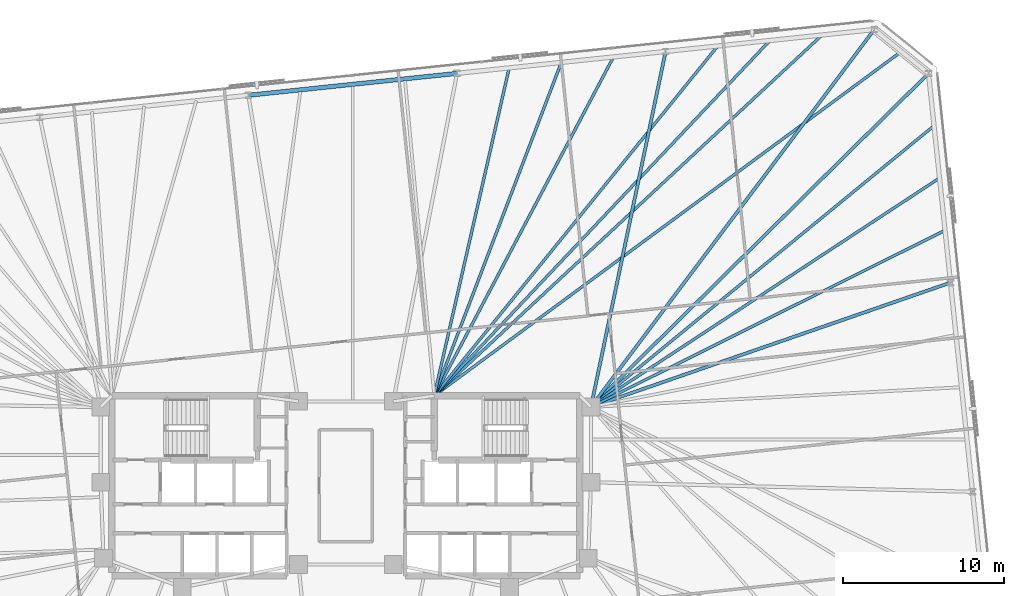
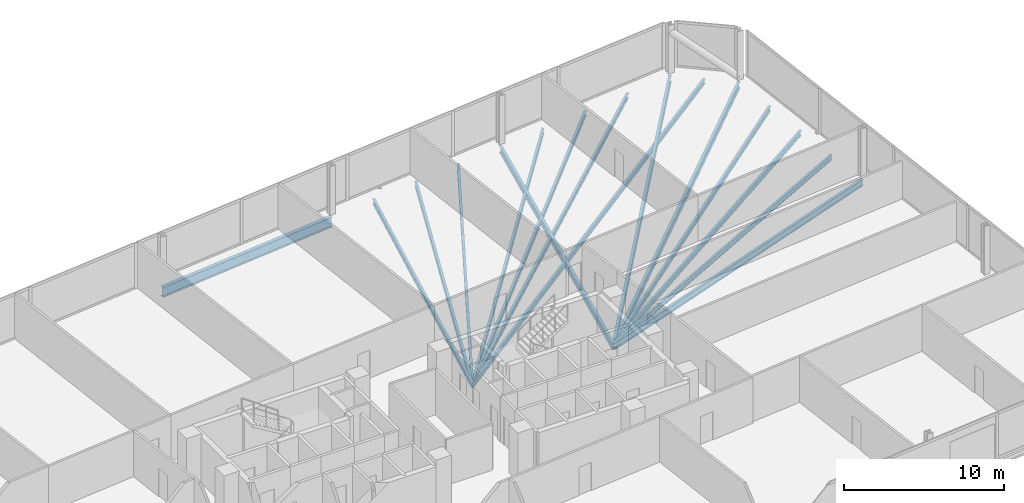
# One storey, part 10 of 18: 15 beams.
"""IFC4 building model written with IfcOpenShell, lengths in metres."""

from ifc_helpers import new_model, si_unit, direction, frame, origin, origin_2d, place, context, subcontext, project, spatial, i_section, extrude, material, material_profile, profile_set, type_object, element, save


model = new_model("IFC4")

# Units and contexts
model_context = context("Model", 3, precision=1e-05, world=origin(), true_north=direction((0.0, 1.0)))
body_context = subcontext(model_context, "Body", "Model", "MODEL_VIEW")
ifc_project = project(units=[si_unit("LENGTHUNIT", "METRE"), si_unit("AREAUNIT", "SQUARE_METRE"), si_unit("VOLUMEUNIT", "CUBIC_METRE"), si_unit("PLANEANGLEUNIT", "RADIAN"), si_unit("MASSUNIT", "GRAM", prefix="KILO")], contexts=[model_context])

# Site, building, storey
site_placement = place(None, origin())
site = spatial("IfcSite", under=ifc_project, at=site_placement, CompositionType="ELEMENT")
building_placement = place(site_placement, origin())
building = spatial("IfcBuilding", under=site, at=building_placement, Name="Menara Jurai Vektor", CompositionType="ELEMENT")
storey_placement = place(building_placement, frame((0.0, 0.0, 98.5)))
storey = spatial("IfcBuildingStorey", under=building, at=storey_placement, Name="L24", CompositionType="ELEMENT", Elevation=98.5)

# Beams
ifc_material_1 = material(Name="Steel S355", Category="steel")
ifc_material_profile_1 = material_profile(ifc_material_1, i_section(OverallWidth=0.199951171875, OverallDepth=0.5, WebThickness=0.011962890625, FlangeThickness=0.02001953125, at=origin_2d()), Name="PG 500x200x96")
ifc_profile_set_1 = profile_set([ifc_material_profile_1], Name="Steel S355")
beam_type_1 = type_object("IfcBeamType", Name="STR-BM-500", PredefinedType="BEAM", material=ifc_profile_set_1)
beam_1_placement = place(storey_placement, frame((37.62060546875, 12.638427734375, -0.47509765625), z_axis=(-0.945053249867, -0.326916434148, 0.0), x_axis=(0.326916434148, -0.945053249867, 0.0)))
element("IfcBeam", 1, at=beam_1_placement, inside=storey, type_object=beam_type_1, Name="Radial Floor Girder L24-E3", PredefinedType="BEAM", context=body_context, shape_type="SweptSolid", body=[
    extrude(i_section(OverallWidth=0.199951171875, OverallDepth=0.5, WebThickness=0.011962890625, FlangeThickness=0.02001953125, at=origin_2d()), origin(), (0.0, 0.0, 1.0), 23.671142578125),
])
beam_2_placement = place(storey_placement, frame((36.252685546875, 25.652099609375, -0.47509765625), z_axis=(-0.711335927547, -0.702852188004, 0.0), x_axis=(0.702852188004, -0.711335927547, 0.0)))
element("IfcBeam", 2, at=beam_2_placement, inside=storey, type_object=beam_type_1, Name="Radial Floor Girder L24-E4", PredefinedType="BEAM", context=body_context, shape_type="SweptSolid", body=[
    extrude(i_section(OverallWidth=0.199951171875, OverallDepth=0.5, WebThickness=0.011962890625, FlangeThickness=0.02001953125, at=origin_2d()), origin(), (0.0, 0.0, 1.0), 29.525634765625),
])
beam_3_placement = place(storey_placement, frame((32.876220703125, 28.38623046875, -0.47509765625), z_axis=(-0.600250057552, -0.799812395758, 0.0), x_axis=(0.799812395758, -0.600250057552, 0.0)))
element("IfcBeam", 3, at=beam_3_placement, inside=storey, type_object=beam_type_1, Name="Radial Floor Girder L24-N1", PredefinedType="BEAM", context=body_context, shape_type="SweptSolid", body=[
    extrude(i_section(OverallWidth=0.199951171875, OverallDepth=0.5, WebThickness=0.011962890625, FlangeThickness=0.02001953125, at=origin_2d()), origin(), (0.0, 0.0, 1.0), 29.36474609375),
])
beam_4_placement = place(storey_placement, frame((19.896728515625, 27.02197265625, -0.47509765625), z_axis=(-0.205563576063, -0.978643763683, 0.0), x_axis=(0.978643763683, -0.205563576063, 0.0)))
element("IfcBeam", 4, at=beam_4_placement, inside=storey, type_object=beam_type_1, Name="Radial Floor Girder L24-N2", PredefinedType="BEAM", context=body_context, shape_type="SweptSolid", body=[
    extrude(i_section(OverallWidth=0.199951171875, OverallDepth=0.5, WebThickness=0.011962890625, FlangeThickness=0.02001953125, at=origin_2d()), origin(), (0.0, 0.0, 1.0), 22.604736328125),
])
ifc_material_profile_2 = material_profile(ifc_material_1, i_section(OverallWidth=0.175048828125, OverallDepth=0.3798828125, WebThickness=0.010009765625, FlangeThickness=0.014892578125, at=origin_2d()), Name="PG 380x175x58")
ifc_profile_set_2 = profile_set([ifc_material_profile_2], Name="Steel S355")
beam_type_2 = type_object("IfcBeamType", Name="STR-JS-380", PredefinedType="JOIST", material=ifc_profile_set_2)
beam_5_placement = place(storey_placement, frame((37.278564453125, 15.891845703125, -0.4150390625), z_axis=(-0.894789854106, -0.446487532849, 0.0), x_axis=(0.446487532849, -0.894789854106, 0.0)))
element("IfcBeam", 5, at=beam_5_placement, inside=storey, type_object=beam_type_2, Name="Radial Secondary Floor Joist L24-JS16", PredefinedType="JOIST", context=body_context, shape_type="SweptSolid", body=[
    extrude(i_section(OverallWidth=0.175048828125, OverallDepth=0.3798828125, WebThickness=0.010009765625, FlangeThickness=0.014892578125, at=origin_2d()), origin(), (0.0, 0.0, 1.0), 24.61865234375),
])
beam_6_placement = place(storey_placement, frame((36.936767578125, 19.145263671875, -0.4150390625), z_axis=(-0.835810585743, -0.549017909326, 0.0), x_axis=(0.549017909326, -0.835810585743, 0.0)))
element("IfcBeam", 6, at=beam_6_placement, inside=storey, type_object=beam_type_2, Name="Radial Secondary Floor Joist L24-JS17", PredefinedType="JOIST", context=body_context, shape_type="SweptSolid", body=[
    extrude(i_section(OverallWidth=0.175048828125, OverallDepth=0.3798828125, WebThickness=0.010009765625, FlangeThickness=0.014892578125, at=origin_2d()), origin(), (0.0, 0.0, 1.0), 25.947021484375),
])
beam_7_placement = place(storey_placement, frame((36.5947265625, 22.398681640625, -0.4150390625), z_axis=(-0.773337004811, -0.63399517111, 0.0), x_axis=(0.63399517111, -0.773337004811, 0.0)))
element("IfcBeam", 7, at=beam_7_placement, inside=storey, type_object=beam_type_2, Name="Radial Secondary Floor Joist L24-JS18", PredefinedType="JOIST", context=body_context, shape_type="SweptSolid", body=[
    extrude(i_section(OverallWidth=0.175048828125, OverallDepth=0.3798828125, WebThickness=0.010009765625, FlangeThickness=0.014892578125, at=origin_2d()), origin(), (0.0, 0.0, 1.0), 27.600830078125),
])
beam_8_placement = place(storey_placement, frame((34.564453125, 27.01904296875, -0.4150390625), z_axis=(-0.805015724179, -0.593253473504, 0.0), x_axis=(0.593253473504, -0.805015724179, 0.0)))
element("IfcBeam", 8, at=beam_8_placement, inside=storey, type_object=beam_type_2, Name="Radial Secondary Floor Joist L24-JS19", PredefinedType="JOIST", context=body_context, shape_type="SweptSolid", body=[
    extrude(i_section(OverallWidth=0.175048828125, OverallDepth=0.3798828125, WebThickness=0.010009765625, FlangeThickness=0.014892578125, at=origin_2d()), origin(), (0.0, 0.0, 1.0), 36.104248046875),
])
beam_9_placement = place(storey_placement, frame((29.63134765625, 28.045166015625, -0.4150390625), z_axis=(-0.732227546694, -0.681060070671, 0.0), x_axis=(0.681060070671, -0.732227546694, 0.0)))
element("IfcBeam", 9, at=beam_9_placement, inside=storey, type_object=beam_type_2, Name="Radial Secondary Floor Joist L24-JS20", PredefinedType="JOIST", context=body_context, shape_type="SweptSolid", body=[
    extrude(i_section(OverallWidth=0.175048828125, OverallDepth=0.3798828125, WebThickness=0.010009765625, FlangeThickness=0.014892578125, at=origin_2d()), origin(), (0.0, 0.0, 1.0), 32.9560546875),
])
beam_10_placement = place(storey_placement, frame((26.386474609375, 27.7041015625, -0.4150390625), z_axis=(-0.686805497462, -0.726841254096, 0.0), x_axis=(0.726841254096, -0.686805497462, 0.0)))
element("IfcBeam", 10, at=beam_10_placement, inside=storey, type_object=beam_type_2, Name="Radial Secondary Floor Joist L24-JS21", PredefinedType="JOIST", context=body_context, shape_type="SweptSolid", body=[
    extrude(i_section(OverallWidth=0.175048828125, OverallDepth=0.3798828125, WebThickness=0.010009765625, FlangeThickness=0.014892578125, at=origin_2d()), origin(), (0.0, 0.0, 1.0), 30.4111328125),
])
beam_11_placement = place(storey_placement, frame((23.1416015625, 27.363037109375, -0.4150390625), z_axis=(-0.629715269624, -0.776826028917, 0.0), x_axis=(0.776826028917, -0.629715269624, 0.0)))
element("IfcBeam", 11, at=beam_11_placement, inside=storey, type_object=beam_type_2, Name="Radial Secondary Floor Joist L24-JS22", PredefinedType="JOIST", context=body_context, shape_type="SweptSolid", body=[
    extrude(i_section(OverallWidth=0.175048828125, OverallDepth=0.3798828125, WebThickness=0.010009765625, FlangeThickness=0.014892578125, at=origin_2d()), origin(), (0.0, 0.0, 1.0), 28.01513671875),
])
beam_12_placement = place(storey_placement, frame((16.651611328125, 26.680908203125, -0.4150390625), z_axis=(-0.467598899237, -0.883940761268, 0.0), x_axis=(0.883940761268, -0.467598899237, 0.0)))
element("IfcBeam", 12, at=beam_12_placement, inside=storey, type_object=beam_type_2, Name="Radial Secondary Floor Joist L24-JS23", PredefinedType="JOIST", context=body_context, shape_type="SweptSolid", body=[
    extrude(i_section(OverallWidth=0.175048828125, OverallDepth=0.3798828125, WebThickness=0.010009765625, FlangeThickness=0.014892578125, at=origin_2d()), origin(), (0.0, 0.0, 1.0), 23.8486328125),
])
beam_13_placement = place(storey_placement, frame((13.40673828125, 26.33984375, -0.4150390625), z_axis=(-0.3562267616, -0.934399536772, 0.0), x_axis=(0.934399536772, -0.3562267616, 0.0)))
element("IfcBeam", 13, at=beam_13_placement, inside=storey, type_object=beam_type_2, Name="Radial Secondary Floor Joist L24-JS24", PredefinedType="JOIST", context=body_context, shape_type="SweptSolid", body=[
    extrude(i_section(OverallWidth=0.175048828125, OverallDepth=0.3798828125, WebThickness=0.010009765625, FlangeThickness=0.014892578125, at=origin_2d()), origin(), (0.0, 0.0, 1.0), 22.19580078125),
])
beam_14_placement = place(storey_placement, frame((10.161865234375, 25.998779296875, -0.4150390625), z_axis=(-0.222793437271, -0.974865675008, 0.0), x_axis=(0.974865675008, -0.222793437271, 0.0)))
element("IfcBeam", 14, at=beam_14_placement, inside=storey, type_object=beam_type_2, Name="Radial Secondary Floor Joist L24-JS25", PredefinedType="JOIST", context=body_context, shape_type="SweptSolid", body=[
    extrude(i_section(OverallWidth=0.175048828125, OverallDepth=0.3798828125, WebThickness=0.010009765625, FlangeThickness=0.014892578125, at=origin_2d()), origin(), (0.0, 0.0, 1.0), 20.924560546875),
])
ifc_material_2 = material(Name="Steel S460", Category="steel")
ifc_material_profile_3 = material_profile(ifc_material_2, i_section(OverallWidth=0.26806640625, OverallDepth=0.77001953125, WebThickness=0.01611328125, FlangeThickness=0.02490234375, FilletRadius=0.01708984375, at=origin_2d()), Name="UKB 762x267x197")
ifc_profile_set_3 = profile_set([ifc_material_profile_3], Name="Steel S460")
beam_type_3 = type_object("IfcBeamType", Name="STR-SP-762", PredefinedType="SPANDREL", material=ifc_profile_set_3)
beam_15_placement = place(storey_placement, frame((6.9169921875, 25.65771484375, -0.610107421875), z_axis=(-0.994521431679, -0.104532874882, 0.0), x_axis=(0.104532874882, -0.994521431679, 0.0)))
element("IfcBeam", 15, at=beam_15_placement, inside=storey, type_object=beam_type_3, Name="Exoskeleton Spandrel Beam L24-13", PredefinedType="SPANDREL", context=body_context, shape_type="SweptSolid", body=[
    extrude(i_section(OverallWidth=0.26806640625, OverallDepth=0.77001953125, WebThickness=0.01611328125, FlangeThickness=0.02490234375, FilletRadius=0.01708984375, at=origin_2d()), origin(), (0.0, 0.0, 1.0), 13.051025390625),
])

save(model, "model.ifc")
